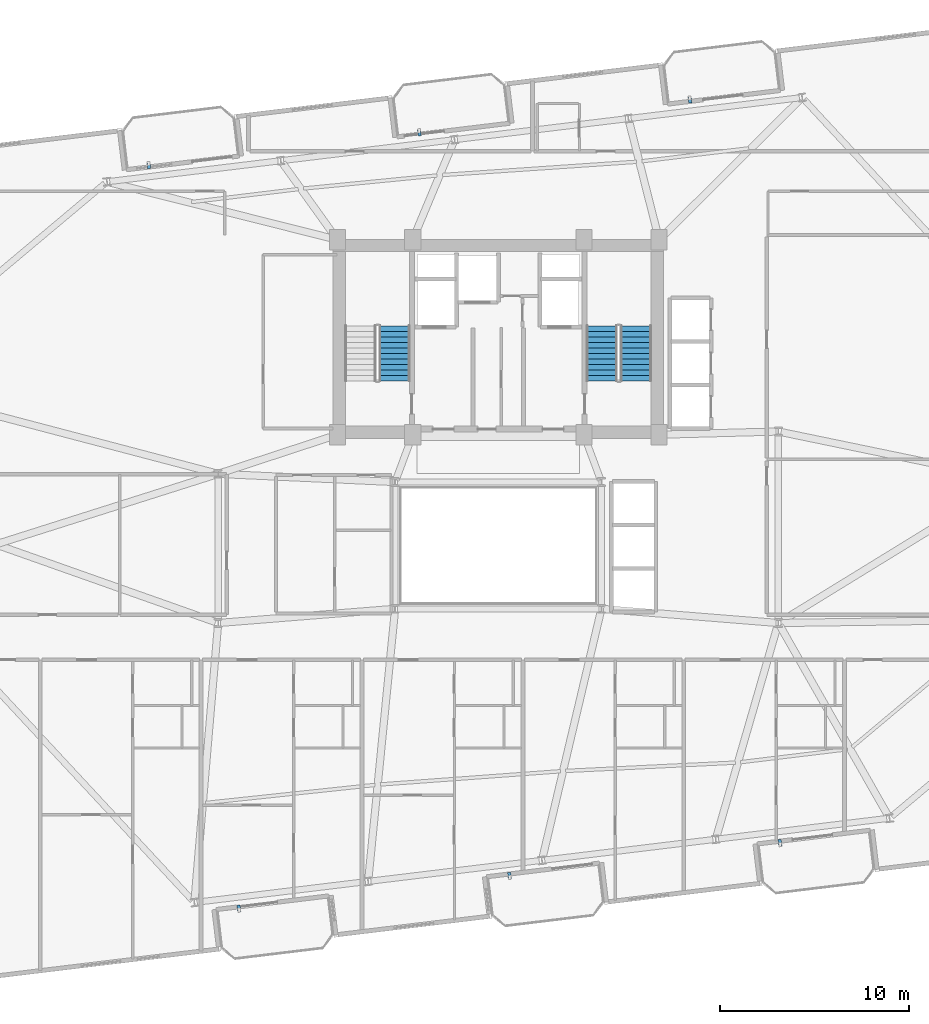
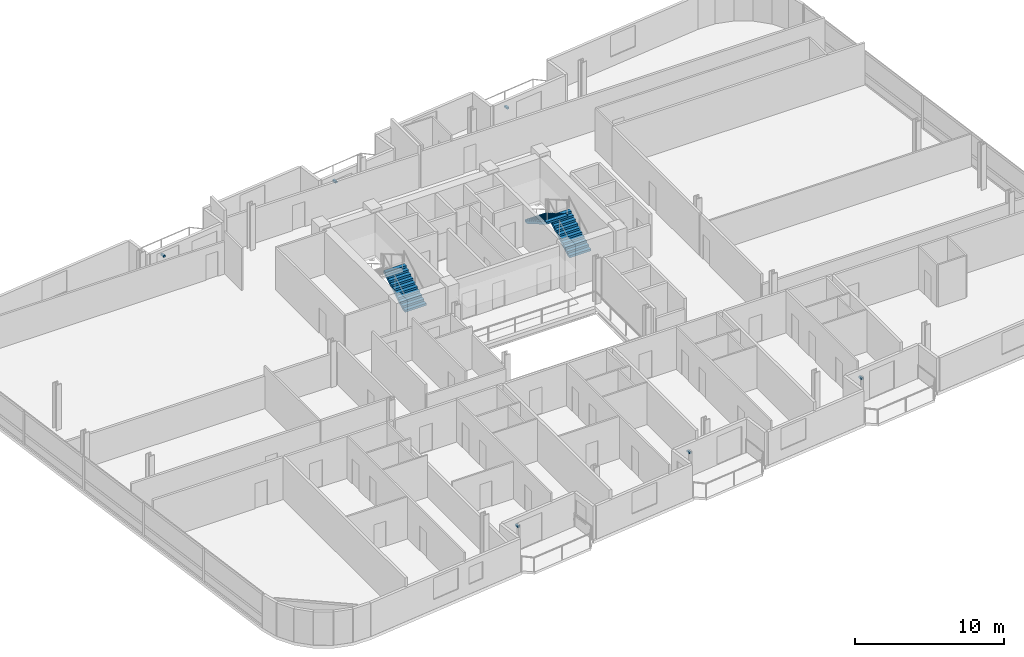
# One storey, part 20 of 24: 6 discrete accessories, 3 stair flights, 2 elements without a shape of their own.
"""IFC4 building model written with IfcOpenShell, lengths in metres."""

from ifc_helpers import new_model, si_unit, direction, frame, origin, origin_2d, place, context, subcontext, project, spatial, polyline, rectangle, outline, extrude, source, transform, mapped, material, type_object, element, aggregate, save


model = new_model("IFC4")

# Units and contexts
model_context = context("Model", 3, precision=1e-05, world=origin(), true_north=direction((0.0, 1.0)))
body_context = subcontext(model_context, "Body", "Model", "MODEL_VIEW")
ifc_project = project(units=[si_unit("LENGTHUNIT", "METRE"), si_unit("AREAUNIT", "SQUARE_METRE"), si_unit("VOLUMEUNIT", "CUBIC_METRE"), si_unit("PLANEANGLEUNIT", "RADIAN"), si_unit("MASSUNIT", "GRAM", prefix="KILO")], contexts=[model_context])

# Site, building, storey
site_placement = place(None, origin())
site = spatial("IfcSite", under=ifc_project, at=site_placement, CompositionType="ELEMENT")
building_placement = place(site_placement, origin())
building = spatial("IfcBuilding", under=site, at=building_placement, Name="Varnelok Gate Tower", CompositionType="ELEMENT")
storey_placement = place(building_placement, frame((0.0, 0.0, 196.800048828125)))
storey = spatial("IfcBuildingStorey", under=building, at=storey_placement, Name="L50", CompositionType="ELEMENT", Elevation=196.800048828125)

# Stair, stair flight
ifc_material_1 = material(Name="Concrete C50/60", Category="concrete")
stair_type = type_object("IfcStairType", Name="STR-CORE-1650", PredefinedType="HALF_TURN_STAIR", material=ifc_material_1)
stair_1_placement = place(storey_placement, origin())
stair_1 = element("IfcStair", 1, at=stair_1_placement, inside=storey, type_object=stair_type, Name="L50 Exit Stair ST-1", PredefinedType="HALF_TURN_STAIR")
stair_flight_type = type_object("IfcStairFlightType", Name="SFL-CORE-1650", PredefinedType="STRAIGHT", material=ifc_material_1)
stair_flight_1_placement = place(storey_placement, frame((33.72509765625, 31.60009765625, 0.0), z_axis=(0.0, 0.0, 1.0), x_axis=(0.0, 1.0, 0.0)))
stair_flight_1 = element("IfcStairFlight", 2, at=stair_flight_1_placement, type_object=stair_flight_type, Name="ST-1 flight 1", NumberOfRisers=11, NumberOfTreads=10, PredefinedType="STRAIGHT", RiserHeight=0.168181818, TreadLength=0.29, context=body_context, shape_type="SweptSolid", body=[
    extrude(outline(polyline([(0.0, 0.0), (0.0, 0.168212890625), (0.2900390625, 0.168212890625), (0.2900390625, 0.33642578125), (0.580078125, 0.33642578125), (0.580078125, 0.504638671875), (0.8701171875, 0.504638671875), (0.8701171875, 0.672607421875), (1.159912109375, 0.672607421875), (1.159912109375, 0.8408203125), (1.449951171875, 0.8408203125), (1.449951171875, 1.009033203125), (1.739990234375, 1.009033203125), (1.739990234375, 1.17724609375), (2.030029296875, 1.17724609375), (2.030029296875, 1.345458984375), (2.320068359375, 1.345458984375), (2.320068359375, 1.513671875), (2.610107421875, 1.513671875), (2.610107421875, 1.681884765625), (2.89990234375, 1.681884765625), (2.89990234375, 1.85009765625), (2.89990234375, 1.508544921875), (0.298828125, 0.0), (0.0, 0.0)])), frame((0.0, 0.824951171875, 0.0), z_axis=(0.0, -1.0, 0.0), x_axis=(1.0, 0.0, 0.0)), (0.0, 0.0, 1.0), 1.64990234375),
])
aggregate(stair_1, [stair_flight_1])

# Stair, stair flights
stair_2_placement = place(storey_placement, origin())
stair_2 = element("IfcStair", 3, at=stair_2_placement, inside=storey, type_object=stair_type, Name="L50 Exit Stair ST-2", PredefinedType="HALF_TURN_STAIR")
stair_flight_2_placement = place(storey_placement, frame((46.47509765625, 31.60009765625, 0.0), z_axis=(0.0, 0.0, 1.0), x_axis=(0.0, 1.0, 0.0)))
stair_flight_2 = element("IfcStairFlight", 4, at=stair_flight_2_placement, type_object=stair_flight_type, Name="ST-2 flight 1", NumberOfRisers=11, NumberOfTreads=10, PredefinedType="STRAIGHT", RiserHeight=0.168181818, TreadLength=0.29, context=body_context, shape_type="SweptSolid", body=[
    extrude(outline(polyline([(0.0, 0.0), (0.0, 0.168212890625), (0.2900390625, 0.168212890625), (0.2900390625, 0.33642578125), (0.580078125, 0.33642578125), (0.580078125, 0.504638671875), (0.8701171875, 0.504638671875), (0.8701171875, 0.672607421875), (1.159912109375, 0.672607421875), (1.159912109375, 0.8408203125), (1.449951171875, 0.8408203125), (1.449951171875, 1.009033203125), (1.739990234375, 1.009033203125), (1.739990234375, 1.17724609375), (2.030029296875, 1.17724609375), (2.030029296875, 1.345458984375), (2.320068359375, 1.345458984375), (2.320068359375, 1.513671875), (2.610107421875, 1.513671875), (2.610107421875, 1.681884765625), (2.89990234375, 1.681884765625), (2.89990234375, 1.85009765625), (2.89990234375, 1.508544921875), (0.298828125, 0.0), (0.0, 0.0)])), frame((0.0, 0.824951171875, 0.0), z_axis=(0.0, -1.0, 0.0), x_axis=(1.0, 0.0, 0.0)), (0.0, 0.0, 1.0), 1.64990234375),
])
stair_flight_3_placement = place(storey_placement, frame((44.675048828125, 34.5, 1.849853515625), z_axis=(0.0, 0.0, 1.0), x_axis=(0.0, -1.0, 0.0)))
stair_flight_3 = element("IfcStairFlight", 5, at=stair_flight_3_placement, type_object=stair_flight_type, Name="ST-2 flight 2", NumberOfRisers=11, NumberOfTreads=10, PredefinedType="STRAIGHT", RiserHeight=0.168181818, TreadLength=0.29, context=body_context, shape_type="SweptSolid", body=[
    extrude(outline(polyline([(0.0, 0.0), (0.0, 0.168212890625), (0.2900390625, 0.168212890625), (0.2900390625, 0.33642578125), (0.580078125, 0.33642578125), (0.580078125, 0.504638671875), (0.8701171875, 0.504638671875), (0.8701171875, 0.672607421875), (1.159912109375, 0.672607421875), (1.159912109375, 0.8408203125), (1.449951171875, 0.8408203125), (1.449951171875, 1.009033203125), (1.739990234375, 1.009033203125), (1.739990234375, 1.17724609375), (2.030029296875, 1.17724609375), (2.030029296875, 1.345458984375), (2.320068359375, 1.345458984375), (2.320068359375, 1.513671875), (2.610107421875, 1.513671875), (2.610107421875, 1.681884765625), (2.89990234375, 1.681884765625), (2.89990234375, 1.85009765625), (2.89990234375, 1.508544921875), (0.298828125, 0.0), (0.0, 0.0)])), frame((0.0, 0.824951171875, 0.0), z_axis=(0.0, -1.0, 0.0), x_axis=(1.0, 0.0, 0.0)), (0.0, 0.0, 1.0), 1.64990234375),
])
aggregate(stair_2, [stair_flight_2, stair_flight_3])

# Discrete accessories
ifc_material_2 = material(Name="Structural Steel ASTM A500 Grade C", Category="steel")
discrete_accessory_type = type_object("IfcDiscreteAccessoryType", Name="ACC-BAGUETTE-BRK", PredefinedType="BRACKET", material=ifc_material_2)
shared_shape = source(origin(), body_context, "Body", "SweptSolid", [
    extrude(rectangle(XDim=0.159912109375, YDim=0.340087890625, at=origin_2d()), origin(), (0.0, 0.0, 1.0), 0.139892578125),
])
for number, where, z_axis, x_axis, name in (
    (6, (25.4970703125, 3.72412109375, 1.97998046875), (0.0, 0.0, 1.0), (0.992732158755, 0.12034475881, 0.0), "L50 Terracotta Baguette Bracket 1.1"),
    (7, (39.792236328125, 5.45703125, 1.97998046875), (0.0, 0.0, 1.0), (0.992732158755, 0.12034475881, 0.0), "L50 Terracotta Baguette Bracket 2.1"),
    (8, (54.087646484375, 7.18994140625, 1.97998046875), (0.0, 0.0, 1.0), (0.992732158755, 0.12034475881, 0.0), "L50 Terracotta Baguette Bracket 3.1"),
    (9, (20.738525390625, 42.976806640625, 1.97998046875), (0.0, 0.0, 1.0), (0.992732158755, 0.12034475881, 0.0), "L50 Terracotta Baguette Bracket 4.1"),
    (10, (35.033935546875, 44.709716796875, 1.97998046875), (0.0, 0.0, 1.0), (0.992732158755, 0.12034475881, 0.0), "L50 Terracotta Baguette Bracket 5.1"),
    (11, (49.3291015625, 46.442626953125, 1.97998046875), (0.0, 0.0, 1.0), (0.992732158755, 0.12034475881, 0.0), "L50 Terracotta Baguette Bracket 6.1"),
):
    element("IfcDiscreteAccessory", number, at=place(storey_placement, frame(where, z_axis=z_axis, x_axis=x_axis)), inside=storey, type_object=discrete_accessory_type, Name=name, PredefinedType="BRACKET", context=body_context, shape_type="MappedRepresentation", body=[
        mapped(shared_shape, transform((0.0, 0.0, 0.0), scale=1.0)),
    ])

save(model, "model.ifc")
